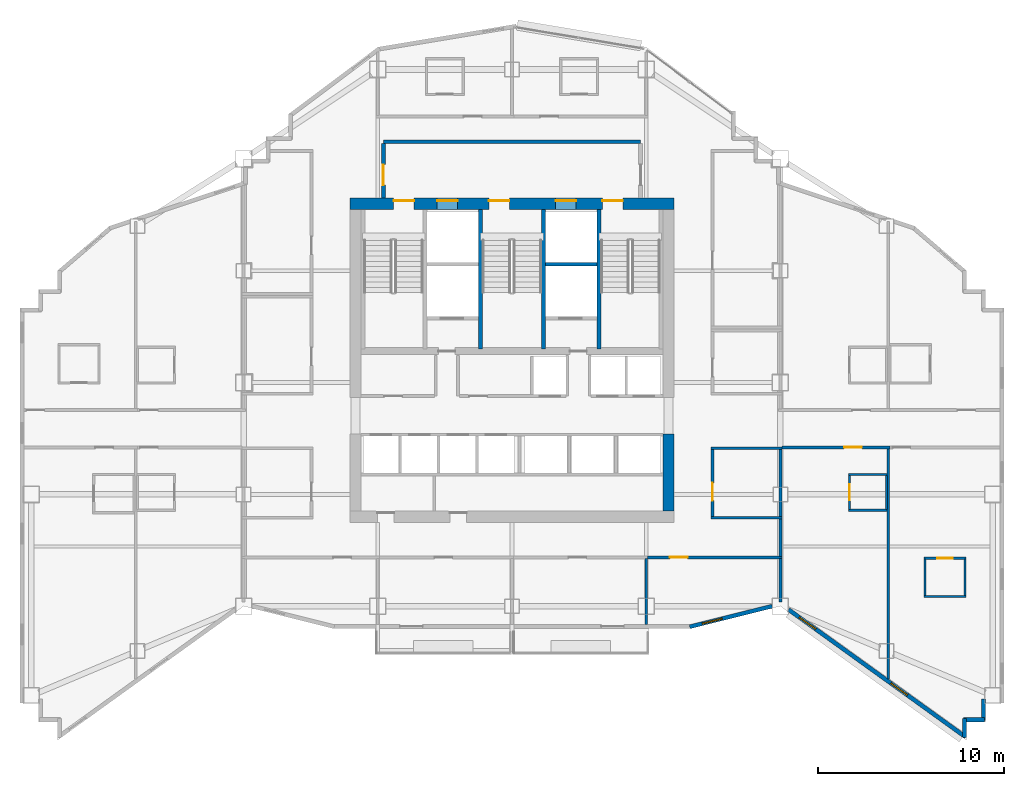
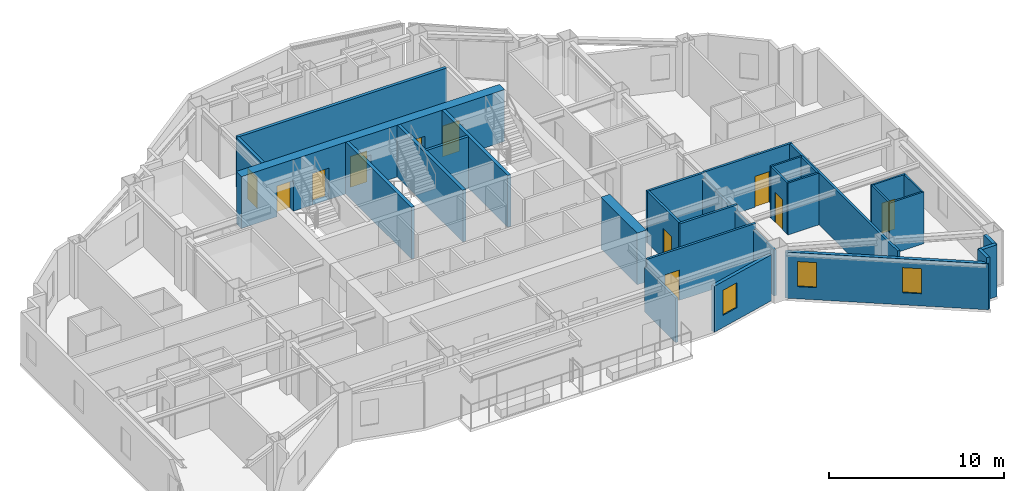
# One storey, part 7 of 12: 31 walls, 11 doors, 3 windows, 14 openings.
"""IFC4 building model written with IfcOpenShell, lengths in metres."""

from ifc_helpers import new_model, si_unit, direction, frame, frame_2d, origin, place, context, subcontext, project, spatial, rectangle, extrude, material, layer, layer_set, type_object, element, fill, save


model = new_model("IFC4")

# Units and contexts
model_context = context("Model", 3, precision=1e-05, world=origin(), true_north=direction((0.0, 1.0)))
body_context = subcontext(model_context, "Body", "Model", "MODEL_VIEW")
ifc_project = project(units=[si_unit("LENGTHUNIT", "METRE"), si_unit("AREAUNIT", "SQUARE_METRE"), si_unit("VOLUMEUNIT", "CUBIC_METRE"), si_unit("PLANEANGLEUNIT", "RADIAN"), si_unit("MASSUNIT", "GRAM", prefix="KILO")], contexts=[model_context])

# Site, building, storey
site_placement = place(None, origin())
site = spatial("IfcSite", under=ifc_project, at=site_placement, CompositionType="ELEMENT")
building_placement = place(site_placement, origin())
building = spatial("IfcBuilding", under=site, at=building_placement, Name="Haolan Belvedere Tower", CompositionType="ELEMENT")
storey_placement = place(building_placement, frame((0.0, 0.0, 169.0)))
storey = spatial("IfcBuildingStorey", under=building, at=storey_placement, Name="L42", CompositionType="ELEMENT", Elevation=169.0)

# Wall, openings, doors
ifc_material_1 = material(Name="Concrete C60/75", Category="concrete")
ifc_layer_1 = layer(ifc_material_1, 0.60009765625, Name="Concrete C60/75")
ifc_layer_set_1 = layer_set([ifc_layer_1], Name="Concrete C60/75")
wall_type_1 = type_object("IfcWallType", Name="WL-CORE-600", PredefinedType="SHEAR", material=ifc_layer_set_1)
wall_1_placement = place(storey_placement, frame((29.699951171875, 43.199951171875, 0.0), z_axis=(0.0, 0.0, 1.0), x_axis=(1.0, 0.0, 0.0)))
wall_1 = element("IfcWall", 1, at=wall_1_placement, inside=storey, type_object=wall_type_1, Name="L42 central core north shear wall", PredefinedType="SHEAR", context=body_context, shape_type="SweptSolid", body=[
    extrude(rectangle(XDim=17.400146484375, YDim=0.60009765625, at=frame_2d((8.7001953125, 0.0))), origin(), (0.0, 0.0, 1.0), 3.6201171875),
])
opening_1_placement = place(wall_1_placement, frame((2.35009765625, 0.0, 0.0)))
opening_1 = element("IfcOpeningElement", 2, at=opening_1_placement, cuts=wall_1, Name="Opening FD-03", PredefinedType="OPENING", context=body_context, shape_type="SweptSolid", body=[
    extrude(rectangle(XDim=1.10009765625, YDim=2.14990234375, at=frame_2d((0.550048828125, 1.074951171875))), frame((0.0, 0.31005859375, 0.0), z_axis=(0.0, -1.0, 0.0), x_axis=(1.0, 0.0, 0.0)), (0.0, 0.0, 1.0), 0.6201171875),
])
opening_2_placement = place(wall_1_placement, frame((7.4599609375, 0.0, 0.0)))
opening_2 = element("IfcOpeningElement", 3, at=opening_2_placement, cuts=wall_1, Name="Opening FD-03", PredefinedType="OPENING", context=body_context, shape_type="SweptSolid", body=[
    extrude(rectangle(XDim=1.10009765625, YDim=2.14990234375, at=frame_2d((0.550048828125, 1.074951171875))), frame((0.0, 0.31005859375, 0.0), z_axis=(0.0, -1.0, 0.0), x_axis=(1.0, 0.0, 0.0)), (0.0, 0.0, 1.0), 0.6201171875),
])
opening_3_placement = place(wall_1_placement, frame((13.550048828125, 0.0, 0.0)))
opening_3 = element("IfcOpeningElement", 4, at=opening_3_placement, cuts=wall_1, Name="Opening FD-03", PredefinedType="OPENING", context=body_context, shape_type="SweptSolid", body=[
    extrude(rectangle(XDim=1.10009765625, YDim=2.14990234375, at=frame_2d((0.550048828125, 1.074951171875))), frame((0.0, 0.31005859375, 0.0), z_axis=(0.0, -1.0, 0.0), x_axis=(1.0, 0.0, 0.0)), (0.0, 0.0, 1.0), 0.6201171875),
])
opening_4_placement = place(wall_1_placement, frame((4.679931640625, 0.0, 0.0)))
opening_4 = element("IfcOpeningElement", 5, at=opening_4_placement, cuts=wall_1, Name="Opening LD-01", PredefinedType="OPENING", context=body_context, shape_type="SweptSolid", body=[
    extrude(rectangle(XDim=1.10009765625, YDim=2.199951171875, at=frame_2d((0.550048828125, 1.10009765625))), frame((0.0, 0.31005859375, 0.0), z_axis=(0.0, -1.0, 0.0), x_axis=(1.0, 0.0, 0.0)), (0.0, 0.0, 1.0), 0.6201171875),
])
opening_5_placement = place(wall_1_placement, frame((11.0400390625, 0.0, 0.0)))
opening_5 = element("IfcOpeningElement", 6, at=opening_5_placement, cuts=wall_1, Name="Opening LD-01", PredefinedType="OPENING", context=body_context, shape_type="SweptSolid", body=[
    extrude(rectangle(XDim=1.10009765625, YDim=2.199951171875, at=frame_2d((0.550048828125, 1.10009765625))), frame((0.0, 0.31005859375, 0.0), z_axis=(0.0, -1.0, 0.0), x_axis=(1.0, 0.0, 0.0)), (0.0, 0.0, 1.0), 0.6201171875),
])
ifc_material_2 = material(Name="Galvanised fire-rated steel", Category="steel")
door_type_1 = type_object("IfcDoorType", Name="DR-FD90-1100", OperationType="NOTDEFINED", PredefinedType="DOOR", material=ifc_material_2)
door_1_placement = place(opening_1_placement, origin())
door_1 = element("IfcDoor", 7, at=door_1_placement, inside=storey, type_object=door_type_1, Name="L42 door CD-L42-ST1", OperationType="SINGLE_SWING_LEFT", OverallHeight=2.14990234375, OverallWidth=1.10009765625, PredefinedType="DOOR", context=body_context, shape_type="SweptSolid", body=[
    extrude(rectangle(XDim=1.10009765625, YDim=2.14990234375, at=frame_2d((0.550048828125, 1.074951171875))), frame((0.0, 0.18505859375, 0.0), z_axis=(0.0, -1.0, 0.0), x_axis=(1.0, 0.0, 0.0)), (0.0, 0.0, 1.0), 0.050048828125),
])
fill(opening_1, door_1)
door_2_placement = place(opening_2_placement, origin())
door_2 = element("IfcDoor", 8, at=door_2_placement, inside=storey, type_object=door_type_1, Name="L42 door CD-L42-ST3", OperationType="SINGLE_SWING_LEFT", OverallHeight=2.14990234375, OverallWidth=1.10009765625, PredefinedType="DOOR", context=body_context, shape_type="SweptSolid", body=[
    extrude(rectangle(XDim=1.10009765625, YDim=2.14990234375, at=frame_2d((0.550048828125, 1.074951171875))), frame((0.0, 0.18505859375, 0.0), z_axis=(0.0, -1.0, 0.0), x_axis=(1.0, 0.0, 0.0)), (0.0, 0.0, 1.0), 0.050048828125),
])
fill(opening_2, door_2)
door_3_placement = place(opening_3_placement, origin())
door_3 = element("IfcDoor", 9, at=door_3_placement, inside=storey, type_object=door_type_1, Name="L42 door CD-L42-ST2", OperationType="SINGLE_SWING_RIGHT", OverallHeight=2.14990234375, OverallWidth=1.10009765625, PredefinedType="DOOR", context=body_context, shape_type="SweptSolid", body=[
    extrude(rectangle(XDim=1.10009765625, YDim=2.14990234375, at=frame_2d((0.550048828125, 1.074951171875))), frame((0.0, 0.18505859375, 0.0), z_axis=(0.0, -1.0, 0.0), x_axis=(1.0, 0.0, 0.0)), (0.0, 0.0, 1.0), 0.050048828125),
])
fill(opening_3, door_3)
ifc_material_3 = material(Name="Brushed champagne stainless steel 316L", Category="steel")
door_type_2 = type_object("IfcDoorType", Name="DR-LIFT-1100", OperationType="SLIDING_TO_LEFT", PredefinedType="DOOR", material=ifc_material_3)
door_4_placement = place(opening_4_placement, origin())
door_4 = element("IfcDoor", 10, at=door_4_placement, inside=storey, type_object=door_type_2, Name="L42 door LD-L42-FF1", OperationType="SLIDING_TO_LEFT", OverallHeight=2.199951171875, OverallWidth=1.10009765625, PredefinedType="DOOR", context=body_context, shape_type="SweptSolid", body=[
    extrude(rectangle(XDim=1.10009765625, YDim=2.199951171875, at=frame_2d((0.550048828125, 1.10009765625))), frame((0.0, 0.18505859375, 0.0), z_axis=(0.0, -1.0, 0.0), x_axis=(1.0, 0.0, 0.0)), (0.0, 0.0, 1.0), 0.050048828125),
])
fill(opening_4, door_4)
door_5_placement = place(opening_5_placement, origin())
door_5 = element("IfcDoor", 11, at=door_5_placement, inside=storey, type_object=door_type_2, Name="L42 door LD-L42-FF2", OperationType="SLIDING_TO_LEFT", OverallHeight=2.199951171875, OverallWidth=1.10009765625, PredefinedType="DOOR", context=body_context, shape_type="SweptSolid", body=[
    extrude(rectangle(XDim=1.10009765625, YDim=2.199951171875, at=frame_2d((0.550048828125, 1.10009765625))), frame((0.0, 0.18505859375, 0.0), z_axis=(0.0, -1.0, 0.0), x_axis=(1.0, 0.0, 0.0)), (0.0, 0.0, 1.0), 0.050048828125),
])
fill(opening_5, door_5)

# Wall
wall_2_placement = place(storey_placement, frame((46.800048828125, 26.699951171875, 0.0), z_axis=(0.0, 0.0, 1.0), x_axis=(0.0, 1.0, 0.0)))
element("IfcWall", 12, at=wall_2_placement, inside=storey, type_object=wall_type_1, Name="L42 central core shear wall ES", PredefinedType="SHEAR", context=body_context, shape_type="SweptSolid", body=[
    extrude(rectangle(XDim=4.150146484375, YDim=0.60009765625, at=frame_2d((2.0751953125, 0.0))), origin(), (0.0, 0.0, 1.0), 3.6201171875),
])

# Wall, opening, window
ifc_material_4 = material(Name="Precast concrete C40/50", Category="concrete")
ifc_layer_2 = layer(ifc_material_4, 0.219970703125, Name="Precast concrete C40/50")
ifc_layer_set_2 = layer_set([ifc_layer_2], Name="Precast concrete C40/50")
wall_type_2 = type_object("IfcWallType", Name="WL-EXT-220", PredefinedType="SOLIDWALL", material=ifc_layer_set_2)
wall_3_placement = place(storey_placement, frame((47.93310546875, 20.49658203125, 0.0), z_axis=(0.0, 0.0, 1.0), x_axis=(0.970142500145, 0.242535625036, 0.0)))
wall_3 = element("IfcWall", 13, at=wall_3_placement, inside=storey, type_object=wall_type_2, Name="L42 pale-metal exterior spandrel wall 2.1", PredefinedType="SOLIDWALL", context=body_context, shape_type="SweptSolid", body=[
    extrude(rectangle(XDim=4.56103515625, YDim=0.219970703125, at=frame_2d((2.280517578125, 0.0))), origin(), (0.0, 0.0, 1.0), 3.215087890625),
])
opening_6_placement = place(wall_3_placement, frame((0.699951171875, 0.0, 0.85009765625)))
opening_6 = element("IfcOpeningElement", 14, at=opening_6_placement, cuts=wall_3, Name="Opening W-03", PredefinedType="OPENING", context=body_context, shape_type="SweptSolid", body=[
    extrude(rectangle(XDim=1.10009765625, YDim=1.75, at=frame_2d((0.550048828125, 0.875))), frame((0.0, 0.119873046875, 0.0), z_axis=(0.0, -1.0, 0.0), x_axis=(1.0, 0.0, 0.0)), (0.0, 0.0, 1.0), 0.239990234375),
])
ifc_material_5 = material(Name="Anodised aluminium 6063-T6 and Low-E glass", Category="aluminium")
window_type = type_object("IfcWindowType", Name="WN-DECO-Z3", PartitioningType="SINGLE_PANEL", PredefinedType="WINDOW", material=ifc_material_5)
window_1_placement = place(opening_6_placement, origin())
window_1 = element("IfcWindow", 15, at=window_1_placement, inside=storey, type_object=window_type, Name="L42 Art Deco chevron window 1", OverallHeight=1.75, OverallWidth=1.10009765625, PartitioningType="SINGLE_PANEL", PredefinedType="WINDOW", context=body_context, shape_type="SweptSolid", body=[
    extrude(rectangle(XDim=1.10009765625, YDim=1.75, at=frame_2d((0.550048828125, 0.875))), frame((0.0, 0.030029296875, 0.0), z_axis=(0.0, -1.0, 0.0), x_axis=(1.0, 0.0, 0.0)), (0.0, 0.0, 1.0), 0.06005859375),
])
fill(opening_6, window_1)

# Wall, openings, windows
wall_4_placement = place(storey_placement, frame((53.241943359375, 21.417236328125, 0.0), z_axis=(0.0, 0.0, 1.0), x_axis=(0.811534737332, -0.58430417601, 0.0)))
wall_4 = element("IfcWall", 16, at=wall_4_placement, inside=storey, type_object=wall_type_2, Name="L42 pale-metal exterior spandrel wall 3.1", PredefinedType="SOLIDWALL", context=body_context, shape_type="SweptSolid", body=[
    extrude(rectangle(XDim=11.697265625, YDim=0.219970703125, at=frame_2d((5.8486328125, 0.0))), origin(), (0.0, 0.0, 1.0), 3.215087890625),
])
opening_7_placement = place(wall_4_placement, frame((0.699951171875, 0.0, 0.85009765625)))
opening_7 = element("IfcOpeningElement", 17, at=opening_7_placement, cuts=wall_4, Name="Opening W-03", PredefinedType="OPENING", context=body_context, shape_type="SweptSolid", body=[
    extrude(rectangle(XDim=1.10009765625, YDim=1.75, at=frame_2d((0.550048828125, 0.875))), frame((0.0, 0.119873046875, 0.0), z_axis=(0.0, -1.0, 0.0), x_axis=(1.0, 0.0, 0.0)), (0.0, 0.0, 1.0), 0.239990234375),
])
opening_8_placement = place(wall_4_placement, frame((6.751708984375, 0.0, 0.85009765625)))
opening_8 = element("IfcOpeningElement", 18, at=opening_8_placement, cuts=wall_4, Name="Opening W-03", PredefinedType="OPENING", context=body_context, shape_type="SweptSolid", body=[
    extrude(rectangle(XDim=1.10009765625, YDim=1.75, at=frame_2d((0.550048828125, 0.875))), frame((0.0, 0.119873046875, 0.0), z_axis=(0.0, -1.0, 0.0), x_axis=(1.0, 0.0, 0.0)), (0.0, 0.0, 1.0), 0.239990234375),
])
window_2_placement = place(opening_7_placement, origin())
window_2 = element("IfcWindow", 19, at=window_2_placement, inside=storey, type_object=window_type, Name="L42 Art Deco chevron window 1", OverallHeight=1.75, OverallWidth=1.10009765625, PartitioningType="SINGLE_PANEL", PredefinedType="WINDOW", context=body_context, shape_type="SweptSolid", body=[
    extrude(rectangle(XDim=1.10009765625, YDim=1.75, at=frame_2d((0.550048828125, 0.875))), frame((0.0, 0.030029296875, 0.0), z_axis=(0.0, -1.0, 0.0), x_axis=(1.0, 0.0, 0.0)), (0.0, 0.0, 1.0), 0.06005859375),
])
fill(opening_7, window_2)
window_3_placement = place(opening_8_placement, origin())
window_3 = element("IfcWindow", 20, at=window_3_placement, inside=storey, type_object=window_type, Name="L42 Art Deco chevron window 2", OverallHeight=1.75, OverallWidth=1.10009765625, PartitioningType="SINGLE_PANEL", PredefinedType="WINDOW", context=body_context, shape_type="SweptSolid", body=[
    extrude(rectangle(XDim=1.10009765625, YDim=1.75, at=frame_2d((0.550048828125, 0.875))), frame((0.0, 0.030029296875, 0.0), z_axis=(0.0, -1.0, 0.0), x_axis=(1.0, 0.0, 0.0)), (0.0, 0.0, 1.0), 0.06005859375),
])
fill(opening_8, window_3)

# Walls
wall_5_placement = place(storey_placement, frame((62.68994140625, 14.559814453125, 0.0), z_axis=(0.0, 0.0, 1.0), x_axis=(0.0, 1.0, 0.0)))
element("IfcWall", 21, at=wall_5_placement, inside=storey, type_object=wall_type_2, Name="L42 pale-metal exterior spandrel wall 4.1", PredefinedType="SOLIDWALL", context=body_context, shape_type="SweptSolid", body=[
    extrude(rectangle(XDim=1.005126953125, YDim=0.219970703125, at=frame_2d((0.50244140625, 0.0))), origin(), (0.0, 0.0, 1.0), 3.6201171875),
])
wall_6_placement = place(storey_placement, frame((62.635009765625, 15.510009765625, 0.0), z_axis=(0.0, 0.0, 1.0), x_axis=(1.0, 0.0, 0.0)))
element("IfcWall", 22, at=wall_6_placement, inside=storey, type_object=wall_type_2, Name="L42 pale-metal exterior spandrel wall 5.1", PredefinedType="SOLIDWALL", context=body_context, shape_type="SweptSolid", body=[
    extrude(rectangle(XDim=1.110107421875, YDim=0.219970703125, at=frame_2d((0.55517578125, 0.0))), origin(), (0.0, 0.0, 1.0), 3.6201171875),
])
wall_7_placement = place(storey_placement, frame((63.68994140625, 15.455078125, 0.0), z_axis=(0.0, 0.0, 1.0), x_axis=(0.0, 1.0, 0.0)))
element("IfcWall", 23, at=wall_7_placement, inside=storey, type_object=wall_type_2, Name="L42 pale-metal exterior spandrel wall 6.1", PredefinedType="SOLIDWALL", context=body_context, shape_type="SweptSolid", body=[
    extrude(rectangle(XDim=1.1650390625, YDim=0.219970703125, at=frame_2d((0.58251953125, 0.0))), origin(), (0.0, 0.0, 1.0), 3.6201171875),
])
ifc_material_6 = material(Name="Concrete C40/50", Category="concrete")
ifc_layer_3 = layer(ifc_material_6, 0.199951171875, Name="Concrete C40/50")
ifc_layer_set_3 = layer_set([ifc_layer_3], Name="Concrete C40/50")
wall_type_3 = type_object("IfcWallType", Name="WL-FIRE-200", PredefinedType="SOLIDWALL", material=ifc_layer_set_3)
wall_8_placement = place(storey_placement, frame((31.5, 46.52001953125, 0.0), z_axis=(0.0, 0.0, 1.0), x_axis=(1.0, 0.0, 0.0)))
element("IfcWall", 24, at=wall_8_placement, inside=storey, type_object=wall_type_3, Name="L42 interior partition IW-L42-FFL-N", PredefinedType="SOLIDWALL", context=body_context, shape_type="SweptSolid", body=[
    extrude(rectangle(XDim=13.800048828125, YDim=0.199951171875, at=frame_2d((6.89990234375, 0.0))), origin(), (0.0, 0.0, 1.0), 3.6201171875),
])

# Wall, opening, door
wall_9_placement = place(storey_placement, frame((31.5, 43.5, 0.0), z_axis=(0.0, 0.0, 1.0), x_axis=(0.0, 1.0, 0.0)))
wall_9 = element("IfcWall", 25, at=wall_9_placement, inside=storey, type_object=wall_type_3, Name="L42 interior partition IW-L42-FFL-W", PredefinedType="SOLIDWALL", context=body_context, shape_type="SweptSolid", body=[
    extrude(rectangle(XDim=2.93505859375, YDim=0.199951171875, at=frame_2d((1.467529296875, 0.0))), origin(), (0.0, 0.0, 1.0), 3.6201171875),
])
opening_9_placement = place(wall_9_placement, frame((1.800048828125, 0.0, 0.0), z_axis=(0.0, 0.0, 1.0), x_axis=(-1.0, 0.0, 0.0)))
opening_9 = element("IfcOpeningElement", 26, at=opening_9_placement, cuts=wall_9, Name="Opening FD-03", PredefinedType="OPENING", context=body_context, shape_type="SweptSolid", body=[
    extrude(rectangle(XDim=1.10009765625, YDim=2.14990234375, at=frame_2d((0.550048828125, 1.074951171875))), frame((0.0, 0.10986328125, 0.0), z_axis=(0.0, -1.0, 0.0), x_axis=(1.0, 0.0, 0.0)), (0.0, 0.0, 1.0), 0.219970703125),
])
door_6_placement = place(opening_9_placement, origin())
door_6 = element("IfcDoor", 27, at=door_6_placement, inside=storey, type_object=door_type_1, Name="L42 door ID-L42-FFL-DW", OperationType="SINGLE_SWING_LEFT", OverallHeight=2.14990234375, OverallWidth=1.10009765625, PredefinedType="DOOR", context=body_context, shape_type="SweptSolid", body=[
    extrude(rectangle(XDim=1.10009765625, YDim=2.14990234375, at=frame_2d((0.550048828125, 1.074951171875))), frame((0.0, 0.02490234375, 0.0), z_axis=(0.0, -1.0, 0.0), x_axis=(1.0, 0.0, 0.0)), (0.0, 0.0, 1.0), 0.050048828125),
])
fill(opening_9, door_6)

# Walls
ifc_material_7 = material(Name="Double gypsum acoustic stud partition", Category="masonry")
ifc_layer_4 = layer(ifc_material_7, 0.14990234375, Name="Double gypsum acoustic stud partition")
ifc_layer_set_4 = layer_set([ifc_layer_4], Name="Double gypsum acoustic stud partition")
wall_type_4 = type_object("IfcWallType", Name="WL-PART-150", PredefinedType="PARTITIONING", material=ifc_layer_set_4)
for number, where, z_axis, x_axis, name in (
    (28, (49.080078125, 30.080078125, 0.0), (0.0, 0.0, 1.0), (1.0, 0.0, 0.0), "L42 interior partition IW-L42-PKTE-N"),
    (29, (49.080078125, 26.35009765625, 0.0), (0.0, 0.0, 1.0), (1.0, 0.0, 0.0), "L42 interior partition IW-L42-PKTE-S"),
):
    element("IfcWall", number, at=place(storey_placement, frame(where, z_axis=z_axis, x_axis=x_axis)), inside=storey, type_object=wall_type_4, Name=name, PredefinedType="PARTITIONING", context=body_context, shape_type="SweptSolid", body=[
        extrude(rectangle(XDim=3.7998046875, YDim=0.14990234375, at=frame_2d((1.89990234375, 0.0))), origin(), (0.0, 0.0, 1.0), 3.6201171875),
    ])

# Wall, opening, door
wall_10_placement = place(storey_placement, frame((49.159912109375, 26.409912109375, 0.0), z_axis=(0.0, 0.0, 1.0), x_axis=(0.0, 1.0, 0.0)))
wall_10 = element("IfcWall", 30, at=wall_10_placement, inside=storey, type_object=wall_type_4, Name="L42 interior partition IW-L42-PKTE-W", PredefinedType="PARTITIONING", context=body_context, shape_type="SweptSolid", body=[
    extrude(rectangle(XDim=3.610107421875, YDim=0.14990234375, at=frame_2d((1.80517578125, 0.0))), origin(), (0.0, 0.0, 1.0), 3.6201171875),
])
opening_10_placement = place(wall_10_placement, frame((0.860107421875, 0.0, 0.0)))
opening_10 = element("IfcOpeningElement", 31, at=opening_10_placement, cuts=wall_10, Name="Opening ID-03", PredefinedType="OPENING", context=body_context, shape_type="SweptSolid", body=[
    extrude(rectangle(XDim=0.949951171875, YDim=2.1201171875, at=frame_2d((0.47509765625, 1.06005859375))), frame((0.0, 0.0849609375, 0.0), z_axis=(0.0, -1.0, 0.0), x_axis=(1.0, 0.0, 0.0)), (0.0, 0.0, 1.0), 0.169921875),
])
ifc_material_8 = material(Name="Painted solid-core timber", Category="wood")
door_type_3 = type_object("IfcDoorType", Name="DR-INT-950", OperationType="NOTDEFINED", PredefinedType="DOOR", material=ifc_material_8)
door_7_placement = place(opening_10_placement, origin())
door_7 = element("IfcDoor", 32, at=door_7_placement, inside=storey, type_object=door_type_3, Name="L42 door ID-L42-PKTE", OperationType="SINGLE_SWING_RIGHT", OverallHeight=2.1201171875, OverallWidth=0.949951171875, PredefinedType="DOOR", context=body_context, shape_type="SweptSolid", body=[
    extrude(rectangle(XDim=0.949951171875, YDim=2.1201171875, at=frame_2d((0.47509765625, 1.06005859375))), frame((0.0, 0.02490234375, 0.0), z_axis=(0.0, -1.0, 0.0), x_axis=(1.0, 0.0, 0.0)), (0.0, 0.0, 1.0), 0.050048828125),
])
fill(opening_10, door_7)

# Walls
wall_11_placement = place(storey_placement, frame((52.800048828125, 26.409912109375, 0.0), z_axis=(0.0, 0.0, 1.0), x_axis=(0.0, 1.0, 0.0)))
element("IfcWall", 33, at=wall_11_placement, inside=storey, type_object=wall_type_4, Name="L42 interior partition IW-L42-PKTE-E", PredefinedType="PARTITIONING", context=body_context, shape_type="SweptSolid", body=[
    extrude(rectangle(XDim=3.610107421875, YDim=0.14990234375, at=frame_2d((1.80517578125, 0.0))), origin(), (0.0, 0.0, 1.0), 3.215087890625),
])
wall_12_placement = place(storey_placement, frame((45.60009765625, 20.612060546875, 0.0), z_axis=(0.0, 0.0, 1.0), x_axis=(0.0, 1.0, 0.0)))
element("IfcWall", 34, at=wall_12_placement, inside=storey, type_object=wall_type_4, Name="L42 interior partition IW-L42-KS3-E", PredefinedType="PARTITIONING", context=body_context, shape_type="SweptSolid", body=[
    extrude(rectangle(XDim=3.5478515625, YDim=0.14990234375, at=frame_2d((1.77392578125, 0.0))), origin(), (0.0, 0.0, 1.0), 3.10498046875),
])

# Wall, opening, door
wall_13_placement = place(storey_placement, frame((45.681884765625, 24.219970703125, 0.0), z_axis=(0.0, 0.0, 1.0), x_axis=(1.0, 0.0, 0.0)))
wall_13 = element("IfcWall", 35, at=wall_13_placement, inside=storey, type_object=wall_type_4, Name="L42 interior partition IW-L42-KS4-N", PredefinedType="PARTITIONING", context=body_context, shape_type="SweptSolid", body=[
    extrude(rectangle(XDim=7.197998046875, YDim=0.14990234375, at=frame_2d((3.59912109375, 0.0))), origin(), (0.0, 0.0, 1.0), 3.6201171875),
])
opening_11_placement = place(wall_13_placement, frame((2.14306640625, 0.0, 0.0), z_axis=(0.0, 0.0, 1.0), x_axis=(-1.0, 0.0, 0.0)))
opening_11 = element("IfcOpeningElement", 36, at=opening_11_placement, cuts=wall_13, Name="Opening ID-03", PredefinedType="OPENING", context=body_context, shape_type="SweptSolid", body=[
    extrude(rectangle(XDim=0.949951171875, YDim=2.1201171875, at=frame_2d((0.47509765625, 1.06005859375))), frame((0.0, 0.0849609375, 0.0), z_axis=(0.0, -1.0, 0.0), x_axis=(1.0, 0.0, 0.0)), (0.0, 0.0, 1.0), 0.169921875),
])
door_8_placement = place(opening_11_placement, origin())
door_8 = element("IfcDoor", 37, at=door_8_placement, inside=storey, type_object=door_type_3, Name="L42 door ID-L42-KS4", OperationType="SINGLE_SWING_LEFT", OverallHeight=2.1201171875, OverallWidth=0.949951171875, PredefinedType="DOOR", context=body_context, shape_type="SweptSolid", body=[
    extrude(rectangle(XDim=0.949951171875, YDim=2.1201171875, at=frame_2d((0.47509765625, 1.06005859375))), frame((0.0, 0.02490234375, 0.0), z_axis=(0.0, -1.0, 0.0), x_axis=(1.0, 0.0, 0.0)), (0.0, 0.0, 1.0), 0.050048828125),
])
fill(opening_11, door_8)

# Wall
wall_14_placement = place(storey_placement, frame((52.800048828125, 21.818603515625, 0.0), z_axis=(0.0, 0.0, 1.0), x_axis=(0.0, 1.0, 0.0)))
element("IfcWall", 38, at=wall_14_placement, inside=storey, type_object=wall_type_4, Name="L42 interior partition IW-L42-KS4-E", PredefinedType="PARTITIONING", context=body_context, shape_type="SweptSolid", body=[
    extrude(rectangle(XDim=2.34130859375, YDim=0.14990234375, at=frame_2d((1.170654296875, 0.0))), origin(), (0.0, 0.0, 1.0), 3.215087890625),
])

# Wall, opening, door
wall_15_placement = place(storey_placement, frame((52.882080078125, 30.1201171875, 0.0), z_axis=(0.0, 0.0, 1.0), x_axis=(1.0, 0.0, 0.0)))
wall_15 = element("IfcWall", 39, at=wall_15_placement, inside=storey, type_object=wall_type_4, Name="L42 interior partition IW-L42-T4S1-N", PredefinedType="PARTITIONING", context=body_context, shape_type="SweptSolid", body=[
    extrude(rectangle(XDim=5.807861328125, YDim=0.14990234375, at=frame_2d((2.90380859375, 0.0))), origin(), (0.0, 0.0, 1.0), 3.6201171875),
])
opening_12_placement = place(wall_15_placement, frame((4.290771484375, 0.0, 0.0), z_axis=(0.0, 0.0, 1.0), x_axis=(-1.0, 0.0, 0.0)))
opening_12 = element("IfcOpeningElement", 40, at=opening_12_placement, cuts=wall_15, Name="Opening ID-02", PredefinedType="OPENING", context=body_context, shape_type="SweptSolid", body=[
    extrude(rectangle(XDim=0.949951171875, YDim=2.14990234375, at=frame_2d((0.47509765625, 1.074951171875))), frame((0.0, 0.0849609375, 0.0), z_axis=(0.0, -1.0, 0.0), x_axis=(1.0, 0.0, 0.0)), (0.0, 0.0, 1.0), 0.169921875),
])
ifc_material_9 = material(Name="Acoustic oak veneer fire-rated timber", Category="wood")
door_type_4 = type_object("IfcDoorType", Name="DR-GUEST-950", OperationType="NOTDEFINED", PredefinedType="DOOR", material=ifc_material_9)
door_9_placement = place(opening_12_placement, origin())
door_9 = element("IfcDoor", 41, at=door_9_placement, inside=storey, type_object=door_type_4, Name="L42 door ID-L42-T4S1-ENT", OperationType="SINGLE_SWING_RIGHT", OverallHeight=2.14990234375, OverallWidth=0.949951171875, PredefinedType="DOOR", context=body_context, shape_type="SweptSolid", body=[
    extrude(rectangle(XDim=0.949951171875, YDim=2.14990234375, at=frame_2d((0.47509765625, 1.074951171875))), frame((0.0, 0.02490234375, 0.0), z_axis=(0.0, -1.0, 0.0), x_axis=(1.0, 0.0, 0.0)), (0.0, 0.0, 1.0), 0.050048828125),
])
fill(opening_12, door_9)

# Walls
wall_16_placement = place(storey_placement, frame((52.800048828125, 24.280029296875, 0.0), z_axis=(0.0, 0.0, 1.0), x_axis=(0.0, 1.0, 0.0)))
element("IfcWall", 42, at=wall_16_placement, inside=storey, type_object=wall_type_4, Name="L42 interior partition IW-L42-T4S1-W", PredefinedType="PARTITIONING", context=body_context, shape_type="SweptSolid", body=[
    extrude(rectangle(XDim=2.010009765625, YDim=0.14990234375, at=frame_2d((1.0048828125, 0.0))), origin(), (0.0, 0.0, 1.0), 3.215087890625),
])
wall_17_placement = place(storey_placement, frame((58.590087890625, 17.6923828125, 0.0), z_axis=(0.0, 0.0, 1.0), x_axis=(0.0, 1.0, 0.0)))
element("IfcWall", 43, at=wall_17_placement, inside=storey, type_object=wall_type_4, Name="L42 interior partition IW-L42-T4S1-E", PredefinedType="PARTITIONING", context=body_context, shape_type="SweptSolid", body=[
    extrude(rectangle(XDim=12.36767578125, YDim=0.14990234375, at=frame_2d((6.183837890625, 0.0))), origin(), (0.0, 0.0, 1.0), 3.6201171875),
])
ifc_layer_5 = layer(ifc_material_4, 0.179931640625, Name="Precast concrete C40/50")
ifc_layer_set_5 = layer_set([ifc_layer_5], Name="Precast concrete C40/50")
wall_type_5 = type_object("IfcWallType", Name="WL-SHAFT-180", PredefinedType="SOLIDWALL", material=ifc_layer_set_5)
wall_18_placement = place(storey_placement, frame((40.195068359375, 39.949951171875, 0.0), z_axis=(0.0, 0.0, 1.0), x_axis=(1.0, 0.0, 0.0)))
element("IfcWall", 44, at=wall_18_placement, inside=storey, type_object=wall_type_5, Name="L42 interior partition IW-L42-FF2-S", PredefinedType="SOLIDWALL", context=body_context, shape_type="SweptSolid", body=[
    extrude(rectangle(XDim=2.77001953125, YDim=0.179931640625, at=frame_2d((1.385009765625, 0.0))), origin(), (0.0, 0.0, 1.0), 3.6201171875),
])
ifc_material_10 = material(Name="Concrete C50/60", Category="concrete")
ifc_layer_6 = layer(ifc_material_10, 0.219970703125, Name="Concrete C50/60")
ifc_layer_set_6 = layer_set([ifc_layer_6], Name="Concrete C50/60")
wall_type_6 = type_object("IfcWallType", Name="WL-STAIR-220", PredefinedType="SHEAR", material=ifc_layer_set_6)
for number, where, z_axis, x_axis, name in (
    (45, (36.699951171875, 35.389892578125, 0.0), (0.0, 0.0, 1.0), (0.0, 1.0, 0.0), "L42 structural stair core wall ST3W"),
    (46, (40.10009765625, 35.389892578125, 0.0), (0.0, 0.0, 1.0), (0.0, 1.0, 0.0), "L42 structural stair core wall ST3E"),
    (47, (43.06005859375, 35.389892578125, 0.0), (0.0, 0.0, 1.0), (0.0, 1.0, 0.0), "L42 structural stair core wall ST2W"),
):
    element("IfcWall", number, at=place(storey_placement, frame(where, z_axis=z_axis, x_axis=x_axis)), inside=storey, type_object=wall_type_6, Name=name, PredefinedType="SHEAR", context=body_context, shape_type="SweptSolid", body=[
        extrude(rectangle(XDim=7.510009765625, YDim=0.219970703125, at=frame_2d((3.7548828125, 0.0))), origin(), (0.0, 0.0, 1.0), 3.6201171875),
    ])
ifc_material_11 = material(Name="Moisture-resistant gypsum tile partition", Category="masonry")
ifc_layer_7 = layer(ifc_material_11, 0.1201171875, Name="Moisture-resistant gypsum tile partition")
ifc_layer_set_7 = layer_set([ifc_layer_7], Name="Moisture-resistant gypsum tile partition")
wall_type_7 = type_object("IfcWallType", Name="WL-WET-120", PredefinedType="PARTITIONING", material=ifc_layer_set_7)
for number, where, z_axis, x_axis, name in (
    (48, (56.449951171875, 28.669921875, 0.0), (0.0, 0.0, 1.0), (1.0, 0.0, 0.0), "L42 interior partition IW-L42-T4S1-BN"),
    (49, (56.449951171875, 26.75, 0.0), (0.0, 0.0, 1.0), (1.0, 0.0, 0.0), "L42 interior partition IW-L42-T4S1-BS"),
):
    element("IfcWall", number, at=place(storey_placement, frame(where, z_axis=z_axis, x_axis=x_axis)), inside=storey, type_object=wall_type_7, Name=name, PredefinedType="PARTITIONING", context=body_context, shape_type="SweptSolid", body=[
        extrude(rectangle(XDim=2.080078125, YDim=0.1201171875, at=frame_2d((1.0400390625, 0.0))), origin(), (0.0, 0.0, 1.0), 3.6201171875),
    ])

# Wall, opening, door
wall_19_placement = place(storey_placement, frame((56.510009765625, 26.794921875, 0.0), z_axis=(0.0, 0.0, 1.0), x_axis=(0.0, 1.0, 0.0)))
wall_19 = element("IfcWall", 50, at=wall_19_placement, inside=storey, type_object=wall_type_7, Name="L42 interior partition IW-L42-T4S1-BW", PredefinedType="PARTITIONING", context=body_context, shape_type="SweptSolid", body=[
    extrude(rectangle(XDim=1.830078125, YDim=0.1201171875, at=frame_2d((0.9150390625, 0.0))), origin(), (0.0, 0.0, 1.0), 3.6201171875),
])
opening_13_placement = place(wall_19_placement, frame((1.340087890625, 0.0, 0.0), z_axis=(0.0, 0.0, 1.0), x_axis=(-1.0, 0.0, 0.0)))
opening_13 = element("IfcOpeningElement", 51, at=opening_13_placement, cuts=wall_19, Name="Opening ID-05", PredefinedType="OPENING", context=body_context, shape_type="SweptSolid", body=[
    extrude(rectangle(XDim=0.85009765625, YDim=2.10009765625, at=frame_2d((0.425048828125, 1.050048828125))), frame((0.0, 0.070068359375, 0.0), z_axis=(0.0, -1.0, 0.0), x_axis=(1.0, 0.0, 0.0)), (0.0, 0.0, 1.0), 0.14013671875),
])
ifc_material_12 = material(Name="Moisture-resistant lacquered timber", Category="wood")
door_type_5 = type_object("IfcDoorType", Name="DR-BATH-850", OperationType="NOTDEFINED", PredefinedType="DOOR", material=ifc_material_12)
door_10_placement = place(opening_13_placement, origin())
door_10 = element("IfcDoor", 52, at=door_10_placement, inside=storey, type_object=door_type_5, Name="L42 door ID-L42-T4S1-BATH", OperationType="SINGLE_SWING_LEFT", OverallHeight=2.10009765625, OverallWidth=0.85009765625, PredefinedType="DOOR", context=body_context, shape_type="SweptSolid", body=[
    extrude(rectangle(XDim=0.85009765625, YDim=2.10009765625, at=frame_2d((0.425048828125, 1.050048828125))), frame((0.0, 0.02490234375, 0.0), z_axis=(0.0, -1.0, 0.0), x_axis=(1.0, 0.0, 0.0)), (0.0, 0.0, 1.0), 0.050048828125),
])
fill(opening_13, door_10)

# Wall
wall_20_placement = place(storey_placement, frame((58.489990234375, 26.794921875, 0.0), z_axis=(0.0, 0.0, 1.0), x_axis=(0.0, 1.0, 0.0)))
element("IfcWall", 53, at=wall_20_placement, inside=storey, type_object=wall_type_7, Name="L42 interior partition IW-L42-T4S1-BE", PredefinedType="PARTITIONING", context=body_context, shape_type="SweptSolid", body=[
    extrude(rectangle(XDim=1.830078125, YDim=0.1201171875, at=frame_2d((0.9150390625, 0.0))), origin(), (0.0, 0.0, 1.0), 3.6201171875),
])

# Wall, opening, door
wall_21_placement = place(storey_placement, frame((60.501953125, 24.175048828125, 0.0), z_axis=(0.0, 0.0, 1.0), x_axis=(1.0, 0.0, 0.0)))
wall_21 = element("IfcWall", 54, at=wall_21_placement, inside=storey, type_object=wall_type_7, Name="L42 interior partition IW-L42-T4S2-BN", PredefinedType="PARTITIONING", context=body_context, shape_type="SweptSolid", body=[
    extrude(rectangle(XDim=2.27001953125, YDim=0.1201171875, at=frame_2d((1.135009765625, 0.0))), origin(), (0.0, 0.0, 1.0), 3.6201171875),
])
opening_14_placement = place(wall_21_placement, frame((1.56005859375, 0.0, 0.0), z_axis=(0.0, 0.0, 1.0), x_axis=(-1.0, 0.0, 0.0)))
opening_14 = element("IfcOpeningElement", 55, at=opening_14_placement, cuts=wall_21, Name="Opening ID-05", PredefinedType="OPENING", context=body_context, shape_type="SweptSolid", body=[
    extrude(rectangle(XDim=0.85009765625, YDim=2.10009765625, at=frame_2d((0.425048828125, 1.050048828125))), frame((0.0, 0.070068359375, 0.0), z_axis=(0.0, -1.0, 0.0), x_axis=(1.0, 0.0, 0.0)), (0.0, 0.0, 1.0), 0.14013671875),
])
door_11_placement = place(opening_14_placement, origin())
door_11 = element("IfcDoor", 56, at=door_11_placement, inside=storey, type_object=door_type_5, Name="L42 door ID-L42-T4S2-BATH", OperationType="SINGLE_SWING_RIGHT", OverallHeight=2.10009765625, OverallWidth=0.85009765625, PredefinedType="DOOR", context=body_context, shape_type="SweptSolid", body=[
    extrude(rectangle(XDim=0.85009765625, YDim=2.10009765625, at=frame_2d((0.425048828125, 1.050048828125))), frame((0.0, 0.02490234375, 0.0), z_axis=(0.0, -1.0, 0.0), x_axis=(1.0, 0.0, 0.0)), (0.0, 0.0, 1.0), 0.050048828125),
])
fill(opening_14, door_11)

# Walls
wall_22_placement = place(storey_placement, frame((60.501953125, 22.125, 0.0), z_axis=(0.0, 0.0, 1.0), x_axis=(1.0, 0.0, 0.0)))
element("IfcWall", 57, at=wall_22_placement, inside=storey, type_object=wall_type_7, Name="L42 interior partition IW-L42-T4S2-BS", PredefinedType="PARTITIONING", context=body_context, shape_type="SweptSolid", body=[
    extrude(rectangle(XDim=2.27001953125, YDim=0.1201171875, at=frame_2d((1.135009765625, 0.0))), origin(), (0.0, 0.0, 1.0), 3.6201171875),
])
for number, where, z_axis, x_axis, name in (
    (58, (60.56201171875, 22.169921875, 0.0), (0.0, 0.0, 1.0), (0.0, 1.0, 0.0), "L42 interior partition IW-L42-T4S2-BW"),
    (59, (62.7119140625, 22.169921875, 0.0), (0.0, 0.0, 1.0), (0.0, 1.0, 0.0), "L42 interior partition IW-L42-T4S2-BE"),
):
    element("IfcWall", number, at=place(storey_placement, frame(where, z_axis=z_axis, x_axis=x_axis)), inside=storey, type_object=wall_type_7, Name=name, PredefinedType="PARTITIONING", context=body_context, shape_type="SweptSolid", body=[
        extrude(rectangle(XDim=1.9599609375, YDim=0.1201171875, at=frame_2d((0.97998046875, 0.0))), origin(), (0.0, 0.0, 1.0), 3.6201171875),
    ])

save(model, "model.ifc")
